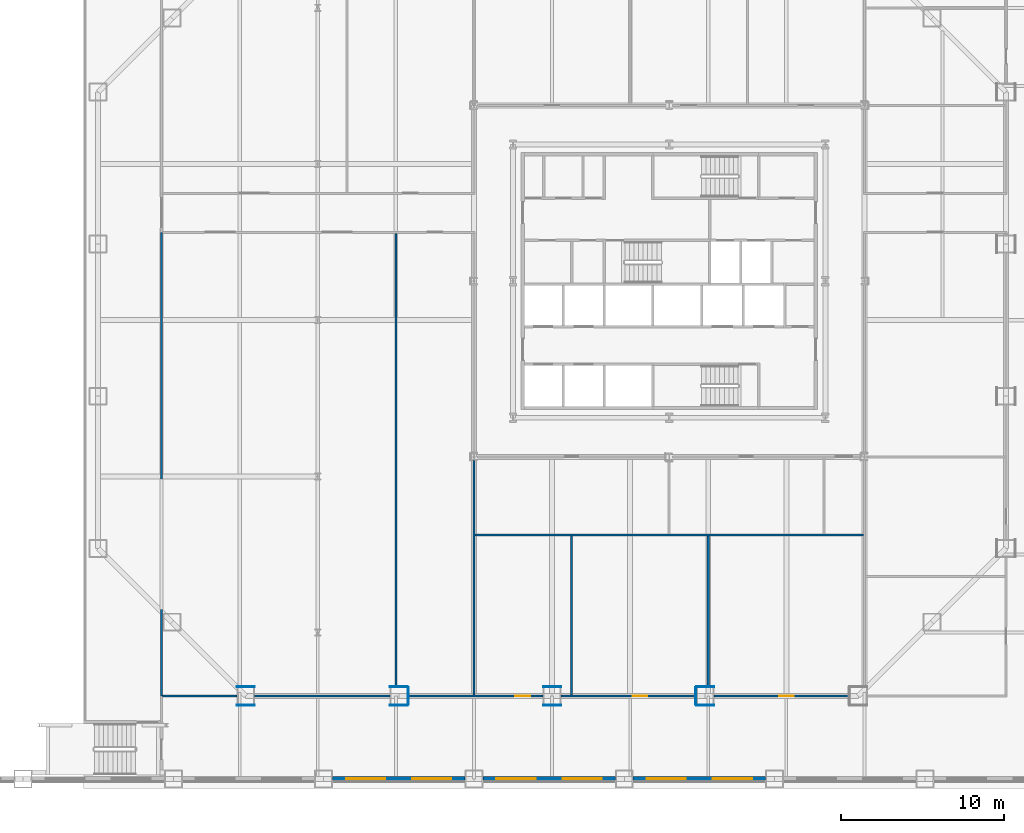
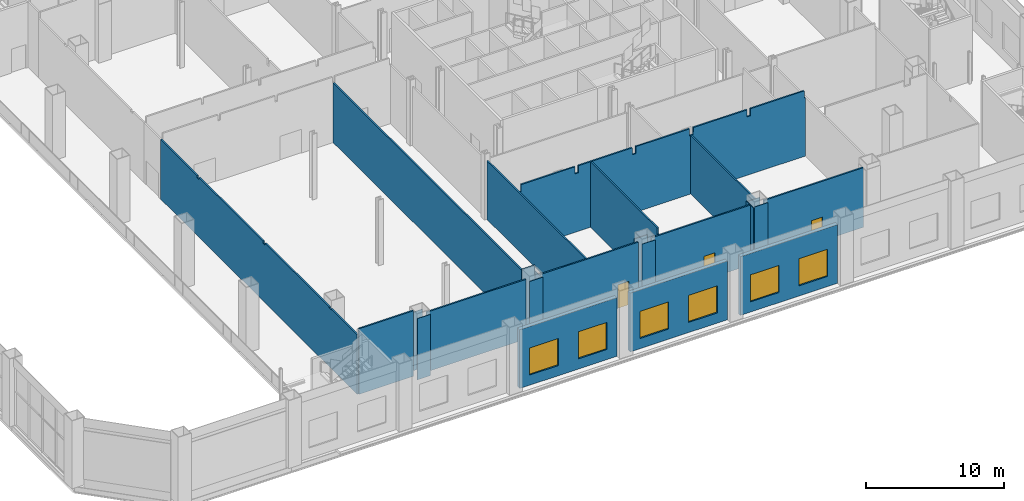
# One storey, part 16 of 31: 24 walls, 6 windows, 3 doors, 9 openings.
"""IFC4 building model written with IfcOpenShell, lengths in metres."""

from ifc_helpers import new_model, si_unit, direction, frame, frame_2d, origin, place, context, subcontext, project, spatial, polyline, rectangle, outline, extrude, material, layer, layer_set, type_object, element, fill, save


model = new_model("IFC4")

# Units and contexts
model_context = context("Model", 3, precision=1e-05, world=origin(), true_north=direction((0.0, 1.0)))
body_context = subcontext(model_context, "Body", "Model", "MODEL_VIEW")
ifc_project = project(units=[si_unit("LENGTHUNIT", "METRE"), si_unit("AREAUNIT", "SQUARE_METRE"), si_unit("VOLUMEUNIT", "CUBIC_METRE"), si_unit("PLANEANGLEUNIT", "RADIAN"), si_unit("MASSUNIT", "GRAM", prefix="KILO")], contexts=[model_context])

# Site, building, storey
site_placement = place(None, origin())
site = spatial("IfcSite", under=ifc_project, at=site_placement, CompositionType="ELEMENT")
building_placement = place(site_placement, origin())
building = spatial("IfcBuilding", under=site, at=building_placement, Name="Cairn Pilgrim Tower", CompositionType="ELEMENT")
storey_placement = place(building_placement, frame((0.0, 0.0, 15.0)))
storey = spatial("IfcBuildingStorey", under=building, at=storey_placement, Name="L02", CompositionType="ELEMENT", Elevation=15.0)

# Walls
ifc_material_1 = material(Name="Gypsum partition")
ifc_layer_1 = layer(ifc_material_1, 0.125)
ifc_layer_set_1 = layer_set([ifc_layer_1], Name="PARTITION 125 DRYWALL EI 60")
wall_type_1 = type_object("IfcWallType", Name="PARTITION 125 DRYWALL EI 60", PredefinedType="PARTITIONING", material=ifc_layer_set_1)
wall_1_placement = place(storey_placement, frame((-24.0, -23.10009765625, 0.0), z_axis=(0.0, 0.0, 1.0), x_axis=(0.0, 1.0, 0.0)))
element("IfcWall", 1, at=wall_1_placement, inside=storey, type_object=wall_type_1, Name="PARTITION W007", PredefinedType="PARTITIONING", context=body_context, shape_type="SweptSolid", body=[
    extrude(outline(polyline([(0.0, 0.0), (28.5, 0.0), (28.5, 5.280029296875), (23.25, 5.280029296875), (23.248046875, 5.080078125), (22.949951171875, 5.080078125), (22.947998046875, 5.280029296875), (13.64990234375, 5.280029296875), (13.64794921875, 5.080078125), (13.35009765625, 5.080078125), (13.347900390625, 5.280029296875), (4.050048828125, 5.280029296875), (4.048095703125, 5.179931640625), (3.75, 5.179931640625), (3.748046875, 5.280029296875), (0.0, 5.280029296875), (0.0, 0.0)])), frame((0.0, 0.0625, 0.0), z_axis=(0.0, -1.0, 0.0), x_axis=(1.0, 0.0, 0.0)), (0.0, 0.0, 1.0), 0.125),
])
wall_2_placement = place(storey_placement, frame((-23.9375, -23.10009765625, 0.0), z_axis=(0.0, 0.0, 1.0), x_axis=(1.0, 0.0, 0.0)))
element("IfcWall", 2, at=wall_2_placement, inside=storey, type_object=wall_type_1, Name="PARTITION W008", PredefinedType="PARTITIONING", context=body_context, shape_type="SweptSolid", body=[
    extrude(rectangle(XDim=4.560302734375, YDim=0.125, at=frame_2d((2.2802734375, 0.0))), origin(), (0.0, 0.0, 1.0), 5.800048828125),
])
wall_3_placement = place(storey_placement, frame((-18.277099609375, -23.10009765625, 0.0), z_axis=(0.0, 0.0, 1.0), x_axis=(1.0, 0.0, 0.0)))
element("IfcWall", 3, at=wall_3_placement, inside=storey, type_object=wall_type_1, Name="PARTITION W009", PredefinedType="PARTITIONING", context=body_context, shape_type="SweptSolid", body=[
    extrude(rectangle(XDim=8.3134765625, YDim=0.125, at=frame_2d((4.15673828125, 0.0))), origin(), (0.0, 0.0, 1.0), 5.280029296875),
])

# Wall, opening, door
wall_4_placement = place(storey_placement, frame((-8.863525390625, -23.10009765625, 0.0), z_axis=(0.0, 0.0, 1.0), x_axis=(1.0, 0.0, 0.0)))
wall_4 = element("IfcWall", 4, at=wall_4_placement, inside=storey, type_object=wall_type_1, Name="PARTITION W010", PredefinedType="PARTITIONING", context=body_context, shape_type="SweptSolid", body=[
    extrude(rectangle(XDim=8.3134765625, YDim=0.125, at=frame_2d((4.15673828125, 0.0))), origin(), (0.0, 0.0, 1.0), 5.280029296875),
])
opening_1_placement = place(wall_4_placement, frame((6.613525390625, 0.0, 0.0)))
opening_1 = element("IfcOpeningElement", 5, at=opening_1_placement, cuts=wall_4, Name="Opening 0212", PredefinedType="OPENING", context=body_context, shape_type="SweptSolid", body=[
    extrude(rectangle(XDim=0.89990234375, YDim=2.10009765625, at=frame_2d((0.449951171875, 1.050048828125))), frame((0.0, 0.072509765625, 0.0), z_axis=(0.0, -1.0, 0.0), x_axis=(1.0, 0.0, 0.0)), (0.0, 0.0, 1.0), 0.14501953125),
])
ifc_material_2 = material(Name="Timber door leaf", Category="wood")
door_type_1 = type_object("IfcDoorType", Name="SERVICE DOOR 900x2100 FD30S", OperationType="NOTDEFINED", PredefinedType="DOOR", material=ifc_material_2)
door_1_placement = place(opening_1_placement, frame((0.89990234375, 0.0, 0.0), z_axis=(0.0, 0.0, 1.0), x_axis=(-1.0, 0.0, 0.0)))
door_1 = element("IfcDoor", 6, at=door_1_placement, inside=storey, type_object=door_type_1, Name="DOOR 0212", OperationType="SINGLE_SWING_RIGHT", OverallHeight=2.10009765625, OverallWidth=0.89990234375, PredefinedType="DOOR", context=body_context, shape_type="SweptSolid", body=[
    extrude(rectangle(XDim=0.89990234375, YDim=2.10009765625, at=frame_2d((0.449951171875, 1.050048828125))), frame((0.0, 0.02490234375, 0.0), z_axis=(0.0, -1.0, 0.0), x_axis=(1.0, 0.0, 0.0)), (0.0, 0.0, 1.0), 0.050048828125),
])
fill(opening_1, door_1)

wall_5_placement = place(storey_placement, frame((0.550048828125, -23.10009765625, 0.0), z_axis=(0.0, 0.0, 1.0), x_axis=(1.0, 0.0, 0.0)))
wall_5 = element("IfcWall", 7, at=wall_5_placement, inside=storey, type_object=wall_type_1, Name="PARTITION W011", PredefinedType="PARTITIONING", context=body_context, shape_type="SweptSolid", body=[
    extrude(rectangle(XDim=8.3134765625, YDim=0.125, at=frame_2d((4.15673828125, 0.0))), origin(), (0.0, 0.0, 1.0), 5.280029296875),
])
opening_2_placement = place(wall_5_placement, frame((4.39990234375, 0.0, 0.0)))
opening_2 = element("IfcOpeningElement", 8, at=opening_2_placement, cuts=wall_5, Name="Opening 0213", PredefinedType="OPENING", context=body_context, shape_type="SweptSolid", body=[
    extrude(rectangle(XDim=0.89990234375, YDim=2.10009765625, at=frame_2d((0.449951171875, 1.050048828125))), frame((0.0, 0.072509765625, 0.0), z_axis=(0.0, -1.0, 0.0), x_axis=(1.0, 0.0, 0.0)), (0.0, 0.0, 1.0), 0.14501953125),
])
door_2_placement = place(opening_2_placement, frame((0.89990234375, 0.0, 0.0), z_axis=(0.0, 0.0, 1.0), x_axis=(-1.0, 0.0, 0.0)))
door_2 = element("IfcDoor", 9, at=door_2_placement, inside=storey, type_object=door_type_1, Name="DOOR 0213", OperationType="SINGLE_SWING_RIGHT", OverallHeight=2.10009765625, OverallWidth=0.89990234375, PredefinedType="DOOR", context=body_context, shape_type="SweptSolid", body=[
    extrude(rectangle(XDim=0.89990234375, YDim=2.10009765625, at=frame_2d((0.449951171875, 1.050048828125))), frame((0.0, 0.02490234375, 0.0), z_axis=(0.0, -1.0, 0.0), x_axis=(1.0, 0.0, 0.0)), (0.0, 0.0, 1.0), 0.050048828125),
])
fill(opening_2, door_2)

wall_6_placement = place(storey_placement, frame((9.963623046875, -23.10009765625, 0.0), z_axis=(0.0, 0.0, 1.0), x_axis=(1.0, 0.0, 0.0)))
wall_6 = element("IfcWall", 10, at=wall_6_placement, inside=storey, type_object=wall_type_1, Name="PARTITION W012", PredefinedType="PARTITIONING", context=body_context, shape_type="SweptSolid", body=[
    extrude(rectangle(XDim=8.3134765625, YDim=0.125, at=frame_2d((4.15673828125, 0.0))), origin(), (0.0, 0.0, 1.0), 5.280029296875),
])
opening_3_placement = place(wall_6_placement, frame((3.986328125, 0.0, 0.0)))
opening_3 = element("IfcOpeningElement", 11, at=opening_3_placement, cuts=wall_6, Name="Opening 0214", PredefinedType="OPENING", context=body_context, shape_type="SweptSolid", body=[
    extrude(rectangle(XDim=0.89990234375, YDim=2.10009765625, at=frame_2d((0.449951171875, 1.050048828125))), frame((0.0, 0.072509765625, 0.0), z_axis=(0.0, -1.0, 0.0), x_axis=(1.0, 0.0, 0.0)), (0.0, 0.0, 1.0), 0.14501953125),
])
door_type_2 = type_object("IfcDoorType", Name="ROOM DOOR 900x2100 FD30S", OperationType="NOTDEFINED", PredefinedType="DOOR", material=ifc_material_2)
door_3_placement = place(opening_3_placement, frame((0.89990234375, 0.0, 0.0), z_axis=(0.0, 0.0, 1.0), x_axis=(-1.0, 0.0, 0.0)))
door_3 = element("IfcDoor", 12, at=door_3_placement, inside=storey, type_object=door_type_2, Name="DOOR 0214", OperationType="SINGLE_SWING_RIGHT", OverallHeight=2.10009765625, OverallWidth=0.89990234375, PredefinedType="DOOR", context=body_context, shape_type="SweptSolid", body=[
    extrude(rectangle(XDim=0.89990234375, YDim=2.10009765625, at=frame_2d((0.449951171875, 1.050048828125))), frame((0.0, 0.02490234375, 0.0), z_axis=(0.0, -1.0, 0.0), x_axis=(1.0, 0.0, 0.0)), (0.0, 0.0, 1.0), 0.050048828125),
])
fill(opening_3, door_3)

# Walls
wall_7_placement = place(storey_placement, frame((-4.800048828125, -23.03759765625, 0.0), z_axis=(0.0, 0.0, 1.0), x_axis=(0.0, 1.0, 0.0)))
element("IfcWall", 13, at=wall_7_placement, inside=storey, type_object=wall_type_1, Name="PARTITION W014", PredefinedType="PARTITIONING", context=body_context, shape_type="SweptSolid", body=[
    extrude(rectangle(XDim=14.400634765625, YDim=0.125, at=frame_2d((7.2001953125, 0.0))), origin(), (0.0, 0.0, 1.0), 5.179931640625),
])
wall_8_placement = place(storey_placement, frame((1.199951171875, -23.03759765625, 0.0), z_axis=(0.0, 0.0, 1.0), x_axis=(0.0, 1.0, 0.0)))
element("IfcWall", 14, at=wall_8_placement, inside=storey, type_object=wall_type_1, Name="PARTITION W015", PredefinedType="PARTITIONING", context=body_context, shape_type="SweptSolid", body=[
    extrude(outline(polyline([(0.0, 0.0), (9.775146484375, 0.0), (9.77490234375, 5.800048828125), (0.08740234375, 5.800048828125), (0.08544921875, 5.280029296875), (0.0, 5.280029296875), (0.0, 0.0)])), frame((0.0, 0.0625, 0.0), z_axis=(0.0, -1.0, 0.0), x_axis=(1.0, 0.0, 0.0)), (0.0, 0.0, 1.0), 0.125),
])
wall_9_placement = place(storey_placement, frame((-9.60009765625, -22.550048828125, 0.0), z_axis=(0.0, 0.0, 1.0), x_axis=(0.0, 1.0, 0.0)))
element("IfcWall", 15, at=wall_9_placement, inside=storey, type_object=wall_type_1, Name="PARTITION W017", PredefinedType="PARTITIONING", context=body_context, shape_type="SweptSolid", body=[
    extrude(rectangle(XDim=27.887451171875, YDim=0.125, at=frame_2d((13.94384765625, 0.0))), origin(), (0.0, 0.0, 1.0), 5.280029296875),
])
wall_10_placement = place(storey_placement, frame((9.60009765625, -22.550048828125, 0.0), z_axis=(0.0, 0.0, 1.0), x_axis=(0.0, 1.0, 0.0)))
element("IfcWall", 16, at=wall_10_placement, inside=storey, type_object=wall_type_1, Name="PARTITION W018", PredefinedType="PARTITIONING", context=body_context, shape_type="SweptSolid", body=[
    extrude(rectangle(XDim=9.28759765625, YDim=0.125, at=frame_2d((4.643798828125, 0.0))), origin(), (0.0, 0.0, 1.0), 5.179931640625),
])
wall_11_placement = place(storey_placement, frame((-4.737548828125, -13.199951171875, 0.0), z_axis=(0.0, 0.0, 1.0), x_axis=(1.0, 0.0, 0.0)))
element("IfcWall", 17, at=wall_11_placement, inside=storey, type_object=wall_type_1, Name="PARTITION W023", PredefinedType="PARTITIONING", context=body_context, shape_type="SweptSolid", body=[
    extrude(outline(polyline([(0.0, 0.0), (23.875, 0.0), (23.875, 5.179931640625), (23.78759765625, 5.179931640625), (23.785400390625, 5.800048828125), (19.28759765625, 5.800048828125), (19.285400390625, 5.179931640625), (18.987548828125, 5.179931640625), (18.985595703125, 5.800048828125), (14.487548828125, 5.800048828125), (14.485595703125, 5.179931640625), (14.1875, 5.179931640625), (14.185546875, 5.800048828125), (9.6875, 5.800048828125), (9.685546875, 5.179931640625), (9.387451171875, 5.179931640625), (9.385498046875, 5.800048828125), (4.887451171875, 5.800048828125), (4.885498046875, 5.179931640625), (4.58740234375, 5.179931640625), (4.58544921875, 5.800048828125), (0.08740234375, 5.800048828125), (0.08544921875, 5.179931640625), (0.0, 5.179931640625), (0.0, 0.0)])), frame((0.0, 0.0625, 0.0), z_axis=(0.0, -1.0, 0.0), x_axis=(1.0, 0.0, 0.0)), (0.0, 0.0, 1.0), 0.125),
])
ifc_layer_2 = layer(ifc_material_1, 0.050048828125)
ifc_layer_set_2 = layer_set([ifc_layer_2], Name="PARTITION 50 DRYWALL EI 60")
wall_type_2 = type_object("IfcWallType", Name="PARTITION 50 DRYWALL EI 60", PredefinedType="PARTITIONING", material=ifc_layer_set_2)
wall_12_placement = place(storey_placement, frame((-19.377197265625, -22.52490234375, 0.0), z_axis=(0.0, 0.0, 1.0), x_axis=(1.0, 0.0, 0.0)))
element("IfcWall", 18, at=wall_12_placement, inside=storey, type_object=wall_type_2, Name="COLUMN CASING WC01", PredefinedType="PARTITIONING", context=body_context, shape_type="SweptSolid", body=[
    extrude(rectangle(XDim=1.10009765625, YDim=0.050048828125, at=frame_2d((0.550048828125, 0.0))), origin(), (0.0, 0.0, 1.0), 5.179931640625),
])
wall_13_placement = place(storey_placement, frame((-19.377197265625, -23.675048828125, 0.0), z_axis=(0.0, 0.0, 1.0), x_axis=(1.0, 0.0, 0.0)))
element("IfcWall", 19, at=wall_13_placement, inside=storey, type_object=wall_type_2, Name="COLUMN CASING WC02", PredefinedType="PARTITIONING", context=body_context, shape_type="SweptSolid", body=[
    extrude(rectangle(XDim=1.10009765625, YDim=0.050048828125, at=frame_2d((0.550048828125, 0.0))), origin(), (0.0, 0.0, 1.0), 5.419921875),
])
wall_14_placement = place(storey_placement, frame((-9.963623046875, -22.52490234375, 0.0), z_axis=(0.0, 0.0, 1.0), x_axis=(1.0, 0.0, 0.0)))
element("IfcWall", 20, at=wall_14_placement, inside=storey, type_object=wall_type_2, Name="COLUMN CASING WC03", PredefinedType="PARTITIONING", context=body_context, shape_type="SweptSolid", body=[
    extrude(rectangle(XDim=1.10009765625, YDim=0.050048828125, at=frame_2d((0.550048828125, 0.0))), origin(), (0.0, 0.0, 1.0), 5.800048828125),
])
wall_15_placement = place(storey_placement, frame((-9.963623046875, -23.675048828125, 0.0), z_axis=(0.0, 0.0, 1.0), x_axis=(1.0, 0.0, 0.0)))
element("IfcWall", 21, at=wall_15_placement, inside=storey, type_object=wall_type_2, Name="COLUMN CASING WC04", PredefinedType="PARTITIONING", context=body_context, shape_type="SweptSolid", body=[
    extrude(rectangle(XDim=1.10009765625, YDim=0.050048828125, at=frame_2d((0.550048828125, 0.0))), origin(), (0.0, 0.0, 1.0), 5.419921875),
])
wall_16_placement = place(storey_placement, frame((-0.550048828125, -22.52490234375, 0.0), z_axis=(0.0, 0.0, 1.0), x_axis=(1.0, 0.0, 0.0)))
element("IfcWall", 22, at=wall_16_placement, inside=storey, type_object=wall_type_2, Name="COLUMN CASING WC05", PredefinedType="PARTITIONING", context=body_context, shape_type="SweptSolid", body=[
    extrude(rectangle(XDim=1.10009765625, YDim=0.050048828125, at=frame_2d((0.550048828125, 0.0))), origin(), (0.0, 0.0, 1.0), 5.179931640625),
])
wall_17_placement = place(storey_placement, frame((-0.550048828125, -23.675048828125, 0.0), z_axis=(0.0, 0.0, 1.0), x_axis=(1.0, 0.0, 0.0)))
element("IfcWall", 23, at=wall_17_placement, inside=storey, type_object=wall_type_2, Name="COLUMN CASING WC06", PredefinedType="PARTITIONING", context=body_context, shape_type="SweptSolid", body=[
    extrude(rectangle(XDim=1.10009765625, YDim=0.050048828125, at=frame_2d((0.550048828125, 0.0))), origin(), (0.0, 0.0, 1.0), 5.419921875),
])
wall_18_placement = place(storey_placement, frame((8.863525390625, -22.52490234375, 0.0), z_axis=(0.0, 0.0, 1.0), x_axis=(1.0, 0.0, 0.0)))
element("IfcWall", 24, at=wall_18_placement, inside=storey, type_object=wall_type_2, Name="COLUMN CASING WC07", PredefinedType="PARTITIONING", context=body_context, shape_type="SweptSolid", body=[
    extrude(rectangle(XDim=1.10009765625, YDim=0.050048828125, at=frame_2d((0.550048828125, 0.0))), origin(), (0.0, 0.0, 1.0), 5.179931640625),
])
wall_19_placement = place(storey_placement, frame((8.863525390625, -23.675048828125, 0.0), z_axis=(0.0, 0.0, 1.0), x_axis=(1.0, 0.0, 0.0)))
element("IfcWall", 25, at=wall_19_placement, inside=storey, type_object=wall_type_2, Name="COLUMN CASING WC08", PredefinedType="PARTITIONING", context=body_context, shape_type="SweptSolid", body=[
    extrude(rectangle(XDim=1.10009765625, YDim=0.050048828125, at=frame_2d((0.550048828125, 0.0))), origin(), (0.0, 0.0, 1.0), 5.419921875),
])
for number, where, z_axis, x_axis, name in (
    (26, (-8.838623046875, -23.64990234375, 0.0), (0.0, 0.0, 1.0), (0.0, 1.0, 0.0), "COLUMN CASING WC11"),
    (27, (8.838623046875, -23.64990234375, 0.0), (0.0, 0.0, 1.0), (0.0, 1.0, 0.0), "COLUMN CASING WC13"),
):
    element("IfcWall", number, at=place(storey_placement, frame(where, z_axis=z_axis, x_axis=x_axis)), inside=storey, type_object=wall_type_2, Name=name, PredefinedType="PARTITIONING", context=body_context, shape_type="SweptSolid", body=[
        extrude(rectangle(XDim=1.099853515625, YDim=0.050048828125, at=frame_2d((0.5498046875, 0.0))), origin(), (0.0, 0.0, 1.0), 5.280029296875),
    ])

# Wall, openings, windows
ifc_material_3 = material(Name="Concrete C35/45 backup wall with bronze aluminium cladding", Category="concrete")
ifc_layer_3 = layer(ifc_material_3, 0.300048828125)
ifc_layer_set_3 = layer_set([ifc_layer_3], Name="PODIUM WALL 300 BRONZE-CLAD")
wall_type_3 = type_object("IfcWallType", Name="PODIUM WALL 300 BRONZE-CLAD", PredefinedType="SOLIDWALL", material=ifc_layer_set_3)
wall_20_placement = place(storey_placement, frame((-13.48779296875, -28.199951171875, 0.0), z_axis=(0.0, 0.0, 1.0), x_axis=(1.0, 0.0, 0.0)))
wall_20 = element("IfcWall", 28, at=wall_20_placement, inside=storey, type_object=wall_type_3, Name="PODIUM EXTERNAL WALL S4-S5", PredefinedType="SOLIDWALL", context=body_context, shape_type="SweptSolid", body=[
    extrude(rectangle(XDim=8.1376953125, YDim=0.300048828125, at=frame_2d((4.06884765625, 0.0))), origin(), (0.0, 0.0, 1.0), 5.199951171875),
])
opening_4_placement = place(wall_20_placement, frame((0.83447265625, 0.0, 0.89990234375)))
opening_4 = element("IfcOpeningElement", 29, at=opening_4_placement, cuts=wall_20, Name="Opening PW24", PredefinedType="OPENING", context=body_context, shape_type="SweptSolid", body=[
    extrude(rectangle(XDim=2.39990234375, YDim=2.39990234375, at=frame_2d((1.199951171875, 1.199951171875))), frame((0.0, 0.16015625, 0.0), z_axis=(0.0, -1.0, 0.0), x_axis=(1.0, 0.0, 0.0)), (0.0, 0.0, 1.0), 0.320068359375),
])
opening_5_placement = place(wall_20_placement, frame((4.9033203125, 0.0, 0.89990234375)))
opening_5 = element("IfcOpeningElement", 30, at=opening_5_placement, cuts=wall_20, Name="Opening PW24", PredefinedType="OPENING", context=body_context, shape_type="SweptSolid", body=[
    extrude(rectangle(XDim=2.39990234375, YDim=2.39990234375, at=frame_2d((1.199951171875, 1.199951171875))), frame((0.0, 0.16015625, 0.0), z_axis=(0.0, -1.0, 0.0), x_axis=(1.0, 0.0, 0.0)), (0.0, 0.0, 1.0), 0.320068359375),
])
ifc_material_4 = material(Name="Bronze anodised aluminium frame with tinted low-E glass", Category="aluminium")
window_type = type_object("IfcWindowType", Name="PODIUM FIXED WINDOW 2400x2400", PartitioningType="SINGLE_PANEL", PredefinedType="WINDOW", material=ifc_material_4)
window_1_placement = place(opening_4_placement, origin())
window_1 = element("IfcWindow", 31, at=window_1_placement, inside=storey, type_object=window_type, Name="PODIUM WINDOW", OverallHeight=2.39990234375, OverallWidth=2.39990234375, PartitioningType="SINGLE_PANEL", PredefinedType="WINDOW", context=body_context, shape_type="SweptSolid", body=[
    extrude(rectangle(XDim=2.39990234375, YDim=2.39990234375, at=frame_2d((1.199951171875, 1.199951171875))), frame((0.0, 0.030029296875, 0.0), z_axis=(0.0, -1.0, 0.0), x_axis=(1.0, 0.0, 0.0)), (0.0, 0.0, 1.0), 0.06005859375),
])
fill(opening_4, window_1)
window_2_placement = place(opening_5_placement, origin())
window_2 = element("IfcWindow", 32, at=window_2_placement, inside=storey, type_object=window_type, Name="PODIUM WINDOW", OverallHeight=2.39990234375, OverallWidth=2.39990234375, PartitioningType="SINGLE_PANEL", PredefinedType="WINDOW", context=body_context, shape_type="SweptSolid", body=[
    extrude(rectangle(XDim=2.39990234375, YDim=2.39990234375, at=frame_2d((1.199951171875, 1.199951171875))), frame((0.0, 0.030029296875, 0.0), z_axis=(0.0, -1.0, 0.0), x_axis=(1.0, 0.0, 0.0)), (0.0, 0.0, 1.0), 0.06005859375),
])
fill(opening_5, window_2)

wall_21_placement = place(storey_placement, frame((-4.25, -28.199951171875, 0.0), z_axis=(0.0, 0.0, 1.0), x_axis=(1.0, 0.0, 0.0)))
wall_21 = element("IfcWall", 33, at=wall_21_placement, inside=storey, type_object=wall_type_3, Name="PODIUM EXTERNAL WALL S5-S6", PredefinedType="SOLIDWALL", context=body_context, shape_type="SweptSolid", body=[
    extrude(rectangle(XDim=8.137939453125, YDim=0.300048828125, at=frame_2d((4.06884765625, 0.0))), origin(), (0.0, 0.0, 1.0), 5.199951171875),
])
opening_6_placement = place(wall_21_placement, frame((0.83447265625, 0.0, 0.89990234375)))
opening_6 = element("IfcOpeningElement", 34, at=opening_6_placement, cuts=wall_21, Name="Opening PW24", PredefinedType="OPENING", context=body_context, shape_type="SweptSolid", body=[
    extrude(rectangle(XDim=2.39990234375, YDim=2.39990234375, at=frame_2d((1.199951171875, 1.199951171875))), frame((0.0, 0.16015625, 0.0), z_axis=(0.0, -1.0, 0.0), x_axis=(1.0, 0.0, 0.0)), (0.0, 0.0, 1.0), 0.320068359375),
])
opening_7_placement = place(wall_21_placement, frame((4.9033203125, 0.0, 0.89990234375)))
opening_7 = element("IfcOpeningElement", 35, at=opening_7_placement, cuts=wall_21, Name="Opening PW24", PredefinedType="OPENING", context=body_context, shape_type="SweptSolid", body=[
    extrude(rectangle(XDim=2.39990234375, YDim=2.39990234375, at=frame_2d((1.199951171875, 1.199951171875))), frame((0.0, 0.16015625, 0.0), z_axis=(0.0, -1.0, 0.0), x_axis=(1.0, 0.0, 0.0)), (0.0, 0.0, 1.0), 0.320068359375),
])
window_3_placement = place(opening_6_placement, origin())
window_3 = element("IfcWindow", 36, at=window_3_placement, inside=storey, type_object=window_type, Name="PODIUM WINDOW", OverallHeight=2.39990234375, OverallWidth=2.39990234375, PartitioningType="SINGLE_PANEL", PredefinedType="WINDOW", context=body_context, shape_type="SweptSolid", body=[
    extrude(rectangle(XDim=2.39990234375, YDim=2.39990234375, at=frame_2d((1.199951171875, 1.199951171875))), frame((0.0, 0.030029296875, 0.0), z_axis=(0.0, -1.0, 0.0), x_axis=(1.0, 0.0, 0.0)), (0.0, 0.0, 1.0), 0.06005859375),
])
fill(opening_6, window_3)
window_4_placement = place(opening_7_placement, origin())
window_4 = element("IfcWindow", 37, at=window_4_placement, inside=storey, type_object=window_type, Name="PODIUM WINDOW", OverallHeight=2.39990234375, OverallWidth=2.39990234375, PartitioningType="SINGLE_PANEL", PredefinedType="WINDOW", context=body_context, shape_type="SweptSolid", body=[
    extrude(rectangle(XDim=2.39990234375, YDim=2.39990234375, at=frame_2d((1.199951171875, 1.199951171875))), frame((0.0, 0.030029296875, 0.0), z_axis=(0.0, -1.0, 0.0), x_axis=(1.0, 0.0, 0.0)), (0.0, 0.0, 1.0), 0.06005859375),
])
fill(opening_7, window_4)

wall_22_placement = place(storey_placement, frame((4.98779296875, -28.199951171875, 0.0), z_axis=(0.0, 0.0, 1.0), x_axis=(1.0, 0.0, 0.0)))
wall_22 = element("IfcWall", 38, at=wall_22_placement, inside=storey, type_object=wall_type_3, Name="PODIUM EXTERNAL WALL S6-S7", PredefinedType="SOLIDWALL", context=body_context, shape_type="SweptSolid", body=[
    extrude(rectangle(XDim=8.137939453125, YDim=0.300048828125, at=frame_2d((4.06884765625, 0.0))), origin(), (0.0, 0.0, 1.0), 5.199951171875),
])
opening_8_placement = place(wall_22_placement, frame((0.83447265625, 0.0, 0.89990234375)))
opening_8 = element("IfcOpeningElement", 39, at=opening_8_placement, cuts=wall_22, Name="Opening PW24", PredefinedType="OPENING", context=body_context, shape_type="SweptSolid", body=[
    extrude(rectangle(XDim=2.39990234375, YDim=2.39990234375, at=frame_2d((1.199951171875, 1.199951171875))), frame((0.0, 0.16015625, 0.0), z_axis=(0.0, -1.0, 0.0), x_axis=(1.0, 0.0, 0.0)), (0.0, 0.0, 1.0), 0.320068359375),
])
opening_9_placement = place(wall_22_placement, frame((4.9033203125, 0.0, 0.89990234375)))
opening_9 = element("IfcOpeningElement", 40, at=opening_9_placement, cuts=wall_22, Name="Opening PW24", PredefinedType="OPENING", context=body_context, shape_type="SweptSolid", body=[
    extrude(rectangle(XDim=2.39990234375, YDim=2.39990234375, at=frame_2d((1.199951171875, 1.199951171875))), frame((0.0, 0.16015625, 0.0), z_axis=(0.0, -1.0, 0.0), x_axis=(1.0, 0.0, 0.0)), (0.0, 0.0, 1.0), 0.320068359375),
])
window_5_placement = place(opening_8_placement, origin())
window_5 = element("IfcWindow", 41, at=window_5_placement, inside=storey, type_object=window_type, Name="PODIUM WINDOW", OverallHeight=2.39990234375, OverallWidth=2.39990234375, PartitioningType="SINGLE_PANEL", PredefinedType="WINDOW", context=body_context, shape_type="SweptSolid", body=[
    extrude(rectangle(XDim=2.39990234375, YDim=2.39990234375, at=frame_2d((1.199951171875, 1.199951171875))), frame((0.0, 0.030029296875, 0.0), z_axis=(0.0, -1.0, 0.0), x_axis=(1.0, 0.0, 0.0)), (0.0, 0.0, 1.0), 0.06005859375),
])
fill(opening_8, window_5)
window_6_placement = place(opening_9_placement, origin())
window_6 = element("IfcWindow", 42, at=window_6_placement, inside=storey, type_object=window_type, Name="PODIUM WINDOW", OverallHeight=2.39990234375, OverallWidth=2.39990234375, PartitioningType="SINGLE_PANEL", PredefinedType="WINDOW", context=body_context, shape_type="SweptSolid", body=[
    extrude(rectangle(XDim=2.39990234375, YDim=2.39990234375, at=frame_2d((1.199951171875, 1.199951171875))), frame((0.0, 0.030029296875, 0.0), z_axis=(0.0, -1.0, 0.0), x_axis=(1.0, 0.0, 0.0)), (0.0, 0.0, 1.0), 0.06005859375),
])
fill(opening_9, window_6)

save(model, "model.ifc")
